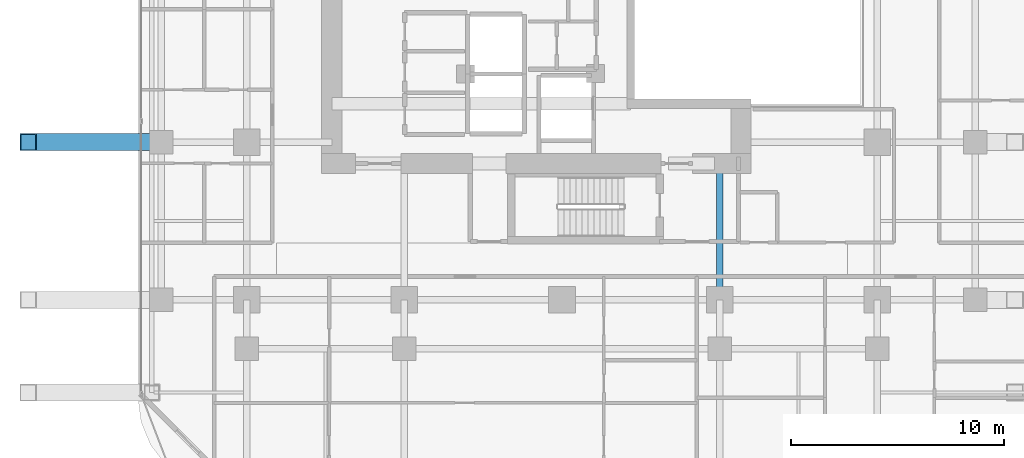
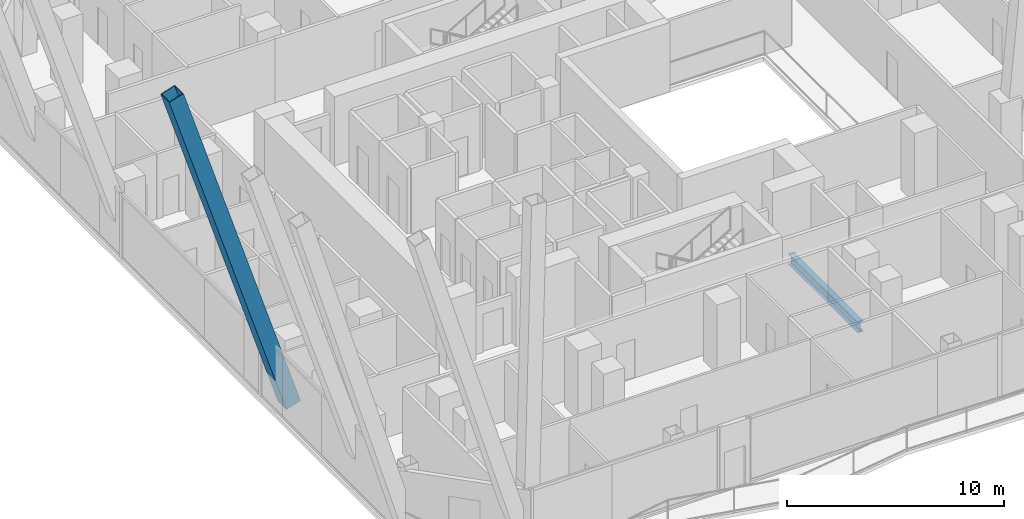
# One storey, part 6 of 32: 1 beam, 1 member.
"""IFC4 building model written with IfcOpenShell, lengths in metres."""

import ifcopenshell
import ifcopenshell.guid

model = None  # the IFC model being written
_history = None  # IfcOwnerHistory: only IFC2X3 demands one
_inside = {}  # id of a spatial element -> (the spatial element, [elements in it])
_under = {}  # id of a project, library or spatial element -> (it, [spatial elements below it])
_declared = {}  # id of a project -> (the project, [libraries it declares])
_typed = {}  # id of a type object -> (the type object, [elements of that type])
_made_of = {}  # id of a material, layer set ... -> (it, [elements and type objects made of it])


def new_model(schema):
    """Start an empty IFC model of exactly this schema.

    Asked for "IFC4X3", IfcOpenShell would pick the latest addendum, in which some entities
    have other attributes; the version numbers below select the first issue.
    IFC2X3 requires an IfcOwnerHistory on every rooted entity: one is made here for all.
    """
    global model, _history
    if schema == "IFC4X3":
        model = ifcopenshell.file(schema_version=(4, 3, 0, 0))
    else:
        model = ifcopenshell.file(schema=schema)
    _inside.clear()
    _under.clear()
    _declared.clear()
    _typed.clear()
    _made_of.clear()
    _history = None
    if model.schema == "IFC2X3":
        org = make("IfcOrganization", Name="unknown")
        user = make(
            "IfcPersonAndOrganization",
            ThePerson=make("IfcPerson", FamilyName="unknown"),
            TheOrganization=org,
        )
        app = make(
            "IfcApplication",
            ApplicationDeveloper=org,
            Version="unknown",
            ApplicationFullName="unknown",
            ApplicationIdentifier="unknown",
        )
        _history = make(
            "IfcOwnerHistory",
            OwningUser=user,
            OwningApplication=app,
            ChangeAction="ADDED",
            CreationDate=0,
        )
    return model


def make(cls, **values):
    """One entity of the class cls with the attributes given. An attribute that is None is left unset."""
    return model.create_entity(
        cls, **{name: value for name, value in values.items() if value is not None}
    )


def rooted(cls, **values):
    """An entity with a GlobalId (a new one), such as an element, a storey or a relation."""
    return make(cls, GlobalId=ifcopenshell.guid.new(), OwnerHistory=_history, **values)


def si_unit(unit_type, name, prefix=None):
    """IfcSIUnit, for example si_unit("LENGTHUNIT", "METRE", prefix="MILLI")."""
    return make("IfcSIUnit", UnitType=unit_type, Prefix=prefix, Name=name)


def assignment(units):
    """IfcUnitAssignment: the units of a project."""
    return None if units is None else make("IfcUnitAssignment", Units=units)


def point(xyz):
    """IfcCartesianPoint."""
    return None if xyz is None else make("IfcCartesianPoint", Coordinates=xyz)


def direction(xyz):
    """IfcDirection."""
    return None if xyz is None else make("IfcDirection", DirectionRatios=xyz)


def frame(location, z_axis=None, x_axis=None):
    """IfcAxis2Placement3D, a coordinate frame: its origin and axes. An axis left out is left unset."""
    return make(
        "IfcAxis2Placement3D",
        Location=point(location),
        Axis=direction(z_axis),
        RefDirection=direction(x_axis),
    )


def frame_2d(location, x_axis=None):
    """IfcAxis2Placement2D, a coordinate frame in the plane: its origin and x axis."""
    return make(
        "IfcAxis2Placement2D", Location=point(location), RefDirection=direction(x_axis)
    )


def origin():
    """The frame at (0, 0, 0) with its axes left unset."""
    return frame((0.0, 0.0, 0.0))


def origin_2d():
    """The frame at (0, 0) in the plane with its x axis left unset."""
    return frame_2d((0.0, 0.0))


def place(relative_to, where):
    """IfcLocalPlacement: puts the frame where relative to a parent placement (None: the world)."""
    return make(
        "IfcLocalPlacement", PlacementRelTo=relative_to, RelativePlacement=where
    )


def context(
    kind, dimensions, precision=None, world=None, true_north=None, identifier=None
):
    """IfcGeometricRepresentationContext, for example the 3D "Model" context."""
    return make(
        "IfcGeometricRepresentationContext",
        ContextIdentifier=identifier,
        ContextType=kind,
        CoordinateSpaceDimension=dimensions,
        Precision=precision,
        WorldCoordinateSystem=world,
        TrueNorth=true_north,
    )


def subcontext(parent, identifier, kind, view, scale=None):
    """IfcGeometricRepresentationSubContext, for example "Body" below "Model"."""
    return make(
        "IfcGeometricRepresentationSubContext",
        ContextIdentifier=identifier,
        ContextType=kind,
        ParentContext=parent,
        TargetScale=scale,
        TargetView=view,
    )


def project(units=None, contexts=None):
    """IfcProject with its units and contexts."""
    return rooted(
        "IfcProject",
        Name="project",
        RepresentationContexts=contexts,
        UnitsInContext=assignment(units),
    )


def spatial(cls, under=None, at=None, **own):
    """A site, building, storey or space (cls), placed at a placement, below another one or the project."""
    s = rooted(cls, ObjectPlacement=at, **own)
    if under is not None:
        _under.setdefault(under.id(), (under, []))[1].append(s)
    return s


def profile(cls, at=None, kind="AREA", **sizes):
    """A parametric profile (cls). Its sizes go by their IFC names, for example OverallWidth=200.0."""
    return make(cls, ProfileType=kind, Position=at, **sizes)


def hollow_rectangle(**sizes):
    """IfcRectangleHollowProfileDef."""
    return profile("IfcRectangleHollowProfileDef", **sizes)


def i_section(**sizes):
    """IfcIShapeProfileDef."""
    return profile("IfcIShapeProfileDef", **sizes)


def extrude(swept, where, along, depth):
    """IfcExtrudedAreaSolid: the profile swept, set in the frame where, extruded along a direction by depth."""
    return make(
        "IfcExtrudedAreaSolid",
        SweptArea=swept,
        Position=where,
        ExtrudedDirection=direction(along),
        Depth=depth,
    )


def shape(context_of_items, identifier, shape_type, items):
    """IfcShapeRepresentation: the items that make up one representation, for example the "Body"."""
    return make(
        "IfcShapeRepresentation",
        ContextOfItems=context_of_items,
        RepresentationIdentifier=identifier,
        RepresentationType=shape_type,
        Items=items,
    )


def material(Name=None, Category=None):
    """IfcMaterial."""
    return make("IfcMaterial", Name=Name, Category=Category)


def material_profile(
    of_material, cross_section, Name=None, Category=None, Priority=None
):
    """IfcMaterialProfile: a cross section and its material."""
    return make(
        "IfcMaterialProfile",
        Name=Name,
        Material=of_material,
        Profile=cross_section,
        Priority=Priority,
        Category=Category,
    )


def profile_set(profiles, Name=None, composite=None):
    """IfcMaterialProfileSet."""
    return make(
        "IfcMaterialProfileSet",
        Name=Name,
        MaterialProfiles=profiles,
        CompositeProfile=composite,
    )


def made_of(thing, what):
    """Note that an element or type object is made of a material, layer set ...; save() writes the relation."""
    if what is not None:
        _made_of.setdefault(what.id(), (what, []))[1].append(thing)
    return thing


def type_object(cls, material=None, **own):
    """A type object (cls), such as IfcWallType, which elements share."""
    return made_of(rooted(cls, **own), material)


def element(
    cls,
    number,
    at=None,
    inside=None,
    cuts=None,
    type_object=None,
    material=None,
    context=None,
    identifier="Body",
    shape_type=None,
    held_by="IfcProductDefinitionShape",
    body=None,
    shapes=None,
    **own,
):
    """One element of the class cls, such as IfcWall. Its Tag is "e" and its number.

    at: its placement. inside: the storey or other place that contains it. cuts: it is an
    opening in that element (IfcRelVoidsElement). A single representation is given by context,
    identifier, shape_type and body (its items); several are given by shapes. held_by: the class
    of the entity that holds the representations. save() writes the other relations.
    """
    e = rooted(cls, Tag="e%d" % number, ObjectPlacement=at, **own)
    if body is not None:
        shapes = [shape(context, identifier, shape_type, body)]
    if shapes is not None:
        e.Representation = make(held_by, Representations=shapes)
    if inside is not None:
        _inside.setdefault(inside.id(), (inside, []))[1].append(e)
    if cuts is not None:
        rooted(
            "IfcRelVoidsElement", RelatingBuildingElement=cuts, RelatedOpeningElement=e
        )
    if type_object is not None:
        _typed.setdefault(type_object.id(), (type_object, []))[1].append(e)
    return made_of(e, material)


def aggregate(whole, parts):
    """IfcRelAggregates: a whole, such as a stair, and the parts it consists of."""
    return rooted("IfcRelAggregates", RelatingObject=whole, RelatedObjects=parts)


def save(model, path):
    """Write the relations noted so far, then the file.

    IfcRelAggregates (storeys below a building ...), IfcRelContainedInSpatialStructure (elements
    in a storey), IfcRelDefinesByType, IfcRelAssociatesMaterial and IfcRelDeclares: one each for
    every whole, place, type object, material and project.
    """
    for whole, parts in _under.values():
        aggregate(whole, parts)
    for where, things in _inside.values():
        rooted(
            "IfcRelContainedInSpatialStructure",
            RelatedElements=things,
            RelatingStructure=where,
        )
    for kind, things in _typed.values():
        rooted("IfcRelDefinesByType", RelatedObjects=things, RelatingType=kind)
    for what, things in _made_of.values():
        rooted("IfcRelAssociatesMaterial", RelatedObjects=things, RelatingMaterial=what)
    for by, libraries in _declared.values():
        rooted("IfcRelDeclares", RelatingContext=by, RelatedDefinitions=libraries)
    model.write(path)


model = new_model("IFC4")

# Units and contexts
model_context = context("Model", 3, precision=1e-05, world=origin(), true_north=direction((0.0, 1.0)))
body_context = subcontext(model_context, "Body", "Model", "MODEL_VIEW")
ifc_project = project(units=[si_unit("LENGTHUNIT", "METRE"), si_unit("AREAUNIT", "SQUARE_METRE"), si_unit("VOLUMEUNIT", "CUBIC_METRE"), si_unit("PLANEANGLEUNIT", "RADIAN"), si_unit("MASSUNIT", "GRAM", prefix="KILO")], contexts=[model_context])

# Site, building, storey
site_placement = place(None, origin())
site = spatial("IfcSite", under=ifc_project, at=site_placement, CompositionType="ELEMENT")
building_placement = place(site_placement, origin())
building = spatial("IfcBuilding", under=site, at=building_placement, Name="Khorvyn Point Tower", CompositionType="ELEMENT")
storey_placement = place(building_placement, frame((0.0, 0.0, 148.5)))
storey = spatial("IfcBuildingStorey", under=building, at=storey_placement, Name="L37", CompositionType="ELEMENT", Elevation=148.5)

# Beam
ifc_material_1 = material(Name="Steel S355", Category="steel")
ifc_material_profile_1 = material_profile(ifc_material_1, i_section(OverallWidth=0.300048828125, OverallDepth=0.587890625, WebThickness=0.011962890625, FlangeThickness=0.02001953125, at=origin_2d()))
ifc_profile_set_1 = profile_set([ifc_material_profile_1], Name="Steel S355 H588x300x12x20")
beam_type = type_object("IfcBeamType", Name="Steel S355 Beam H588x300x12x20", PredefinedType="BEAM", material=ifc_profile_set_1)
beam_placement = place(storey_placement, frame((7.39990234375, -14.800048828125, -0.513916015625), z_axis=(0.0, 1.0, 0.0), x_axis=(-1.0, 0.0, 0.0)))
element("IfcBeam", 1, at=beam_placement, inside=storey, type_object=beam_type, Name="Beam", PredefinedType="BEAM", context=body_context, shape_type="SweptSolid", body=[
    extrude(i_section(OverallWidth=0.300048828125, OverallDepth=0.587890625, WebThickness=0.011962890625, FlangeThickness=0.02001953125, at=origin_2d()), origin(), (0.0, 0.0, 1.0), 6.400146484375),
])

# Member
ifc_material_2 = material(Name="Steel S450", Category="steel")
ifc_material_profile_2 = material_profile(ifc_material_2, hollow_rectangle(XDim=0.800048828125, YDim=0.800048828125, WallThickness=0.035888671875, at=origin_2d()))
ifc_profile_set_2 = profile_set([ifc_material_profile_2], Name="Steel S450 BOX800x800x36")
member_type = type_object("IfcMemberType", Name="Steel S450 Exoskeleton Structural Post BOX800x800x36", PredefinedType="POST", material=ifc_profile_set_2)
member_placement = place(storey_placement, frame((-18.800048828125, -7.39990234375, 0.0), z_axis=(-0.305218682065, 0.0, 0.952282288042), x_axis=(0.0, -1.0, 0.0)))
element("IfcMember", 2, at=member_placement, inside=storey, type_object=member_type, Name="L37 to L41 Exoskeleton Transfer Post 13", PredefinedType="POST", context=body_context, shape_type="SweptSolid", body=[
    extrude(hollow_rectangle(XDim=0.800048828125, YDim=0.800048828125, WallThickness=0.035888671875, at=origin_2d()), origin(), (0.0, 0.0, 1.0), 20.47705078125),
])

save(model, "model.ifc")
